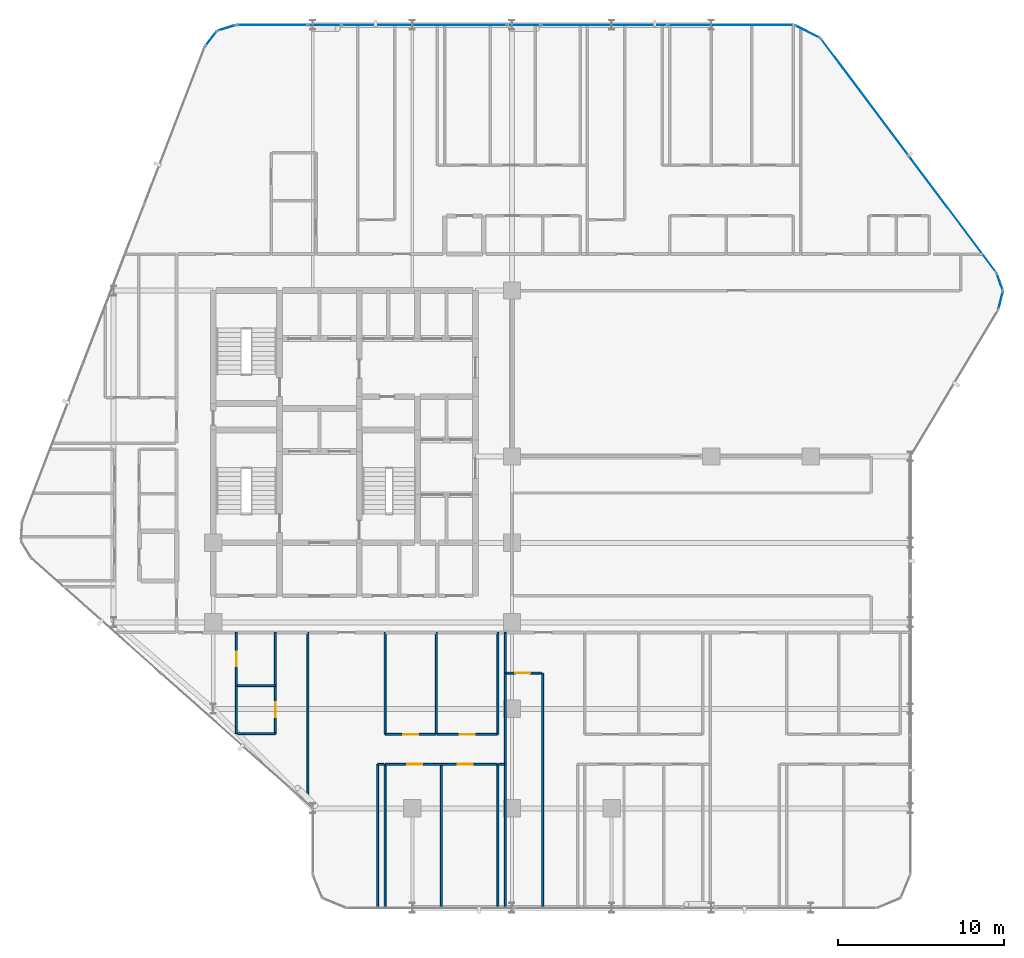
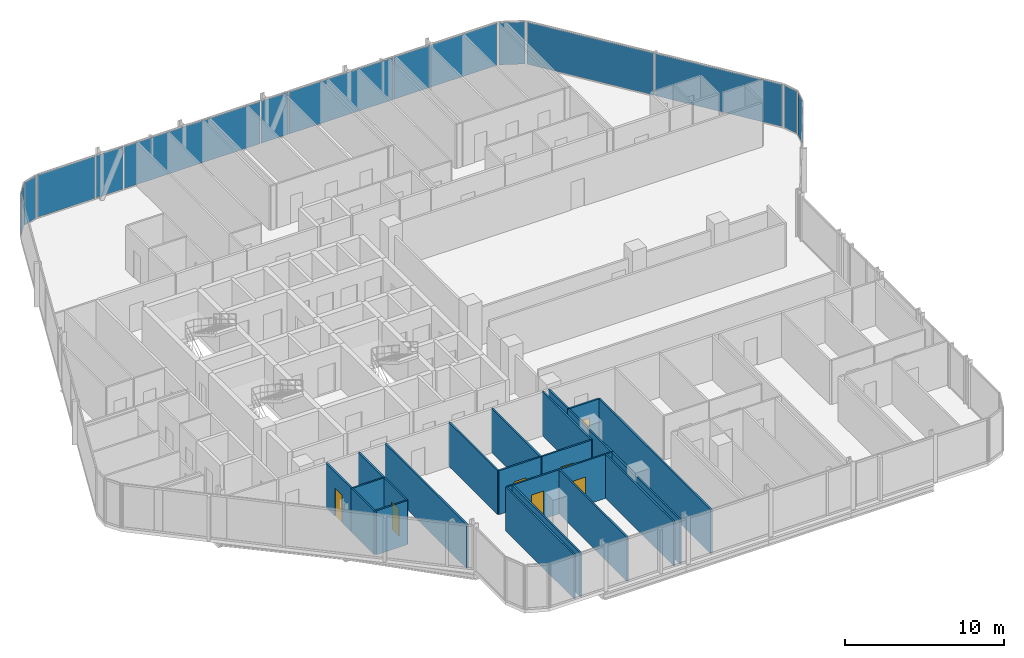
# One storey, part 22 of 29: 24 walls, 13 plates, 7 doors, 7 openings, 11 elements without a shape of their own.
"""IFC4 building model written with IfcOpenShell, lengths in metres."""

from ifc_helpers import new_model, si_unit, direction, frame, frame_2d, origin, origin_2d, place, context, subcontext, project, spatial, rectangle, extrude, material, layer, layer_set, type_object, element, fill, aggregate, save


model = new_model("IFC4")

# Units and contexts
model_context = context("Model", 3, precision=1e-05, world=origin(), true_north=direction((0.0, 1.0)))
body_context = subcontext(model_context, "Body", "Model", "MODEL_VIEW")
ifc_project = project(units=[si_unit("LENGTHUNIT", "METRE"), si_unit("AREAUNIT", "SQUARE_METRE"), si_unit("VOLUMEUNIT", "CUBIC_METRE"), si_unit("PLANEANGLEUNIT", "RADIAN"), si_unit("MASSUNIT", "GRAM", prefix="KILO")], contexts=[model_context])

# Site, building, storey
site_placement = place(None, origin())
site = spatial("IfcSite", under=ifc_project, at=site_placement, CompositionType="ELEMENT")
building_placement = place(site_placement, origin())
building = spatial("IfcBuilding", under=site, at=building_placement, Name="Keshet Zoharim Tower", CompositionType="ELEMENT")
storey_placement = place(building_placement, frame((0.0, 0.0, 102.0)))
storey = spatial("IfcBuildingStorey", under=building, at=storey_placement, Name="L24", CompositionType="ELEMENT", Elevation=102.0)

# Curtain wall, plate
ifc_material_1 = material(Name="Aluminium 6063-T6", Category="aluminium")
ifc_layer_1 = layer(ifc_material_1, 0.159912109375)
ifc_layer_set_1 = layer_set([ifc_layer_1], Name="Aluminium 6063-T6")
curtain_wall_type = type_object("IfcCurtainWallType", Name="CW-SYS-03", PredefinedType="NOTDEFINED", material=ifc_layer_set_1)
curtain_wall_1_placement = place(storey_placement, origin())
curtain_wall_1 = element("IfcCurtainWall", 1, at=curtain_wall_1_placement, inside=storey, type_object=curtain_wall_type, Name="L24 Unitised Curtain Wall 11", PredefinedType="NOTDEFINED")
ifc_material_2 = material(Name="Insulated Low-E Clear Glass", Category="glass")
ifc_layer_2 = layer(ifc_material_2, 0.035888671875)
ifc_layer_set_2 = layer_set([ifc_layer_2], Name="Insulated Low-E Clear Glass")
plate_type_1 = type_object("IfcPlateType", Name="CWP-01", PredefinedType="CURTAIN_PANEL", material=ifc_layer_set_2)
plate_1_placement = place(storey_placement, frame((14.8740234375, 53.08349609375, 0.06982421875), z_axis=(0.0, 0.0, 1.0), x_axis=(0.619124525989, 0.785292825205, 0.0)))
plate_1 = element("IfcPlate", 2, at=plate_1_placement, type_object=plate_type_1, Name="CW-03 panel 1.1", PredefinedType="CURTAIN_PANEL", context=body_context, shape_type="SweptSolid", body=[
    extrude(rectangle(XDim=1.045654296875, YDim=0.035888671875, at=origin_2d()), origin(), (0.0, 0.0, 1.0), 3.2451171875),
])
aggregate(curtain_wall_1, [plate_1])

curtain_wall_2_placement = place(storey_placement, origin())
curtain_wall_2 = element("IfcCurtainWall", 3, at=curtain_wall_2_placement, inside=storey, type_object=curtain_wall_type, Name="L24 Unitised Curtain Wall 12", PredefinedType="NOTDEFINED")
plate_2_placement = place(storey_placement, frame((15.8076171875, 53.724609375, 0.06982421875), z_axis=(0.0, 0.0, 1.0), x_axis=(0.955212151288, 0.295921857984, 0.0)))
plate_2 = element("IfcPlate", 4, at=plate_2_placement, type_object=plate_type_1, Name="CW-03 panel 1.1", PredefinedType="CURTAIN_PANEL", context=body_context, shape_type="SweptSolid", body=[
    extrude(rectangle(XDim=1.046142578125, YDim=0.035888671875, at=origin_2d()), origin(), (0.0, 0.0, 1.0), 3.2451171875),
])
aggregate(curtain_wall_2, [plate_2])

curtain_wall_3_placement = place(storey_placement, origin())
curtain_wall_3 = element("IfcCurtainWall", 5, at=curtain_wall_3_placement, inside=storey, type_object=curtain_wall_type, Name="L24 Unitised Curtain Wall 13", PredefinedType="NOTDEFINED")
ifc_layer_3 = layer(ifc_material_2, 0.031982421875)
ifc_layer_set_3 = layer_set([ifc_layer_3], Name="Insulated Low-E Clear Glass")
plate_type_2 = type_object("IfcPlateType", Name="CWP-02", PredefinedType="CURTAIN_PANEL", material=ifc_layer_set_3)
plate_3_placement = place(storey_placement, frame((18.5556640625, 53.89990234375, 0.06982421875), z_axis=(0.0, 0.0, 1.0), x_axis=(1.0, 0.0, 0.0)))
plate_3 = element("IfcPlate", 6, at=plate_3_placement, type_object=plate_type_2, Name="CW-03 panel 1.1", PredefinedType="CURTAIN_PANEL", context=body_context, shape_type="SweptSolid", body=[
    extrude(rectangle(XDim=4.223388671875, YDim=0.031982421875, at=origin_2d()), origin(), (0.0, 0.0, 1.0), 3.2451171875),
])
aggregate(curtain_wall_3, [plate_3])

curtain_wall_4_placement = place(storey_placement, origin())
curtain_wall_4 = element("IfcCurtainWall", 7, at=curtain_wall_4_placement, inside=storey, type_object=curtain_wall_type, Name="L24 Unitised Curtain Wall 13 Part 3", PredefinedType="NOTDEFINED")
plate_4_placement = place(storey_placement, frame((27.715087890625, 53.89990234375, 0.06982421875), z_axis=(0.0, 0.0, 1.0), x_axis=(1.0, 0.0, 0.0)))
plate_4 = element("IfcPlate", 8, at=plate_4_placement, type_object=plate_type_2, Name="CW-03 panel 1.1", PredefinedType="CURTAIN_PANEL", context=body_context, shape_type="SweptSolid", body=[
    extrude(rectangle(XDim=9.90478515625, YDim=0.031982421875, at=origin_2d()), origin(), (0.0, 0.0, 1.0), 3.2451171875),
])
aggregate(curtain_wall_4, [plate_4])

# Curtain wall, plates
curtain_wall_5_placement = place(storey_placement, origin())
curtain_wall_5 = element("IfcCurtainWall", 9, at=curtain_wall_5_placement, inside=storey, type_object=curtain_wall_type, Name="L24 Unitised Curtain Wall 13 Part 5", PredefinedType="NOTDEFINED")
plate_5_placement = place(storey_placement, frame((38.554443359375, 53.89990234375, 0.06982421875), z_axis=(0.0, 0.0, 1.0), x_axis=(1.0, 0.0, 0.0)))
plate_5 = element("IfcPlate", 10, at=plate_5_placement, type_object=plate_type_2, Name="CW-03 panel 1.1", PredefinedType="CURTAIN_PANEL", context=body_context, shape_type="SweptSolid", body=[
    extrude(rectangle(XDim=7.583740234375, YDim=0.031982421875, at=origin_2d()), origin(), (0.0, 0.0, 1.0), 3.2451171875),
])
plate_6_placement = place(storey_placement, frame((46.173095703125, 53.89990234375, 0.06982421875), z_axis=(0.0, 0.0, 1.0), x_axis=(1.0, 0.0, 0.0)))
plate_6 = element("IfcPlate", 11, at=plate_6_placement, type_object=plate_type_2, Name="CW-03 panel 2.1", PredefinedType="CURTAIN_PANEL", context=body_context, shape_type="SweptSolid", body=[
    extrude(rectangle(XDim=7.513671875, YDim=0.031982421875, at=origin_2d()), origin(), (0.0, 0.0, 1.0), 3.2451171875),
])
aggregate(curtain_wall_5, [plate_5, plate_6])

# Curtain wall, plate
curtain_wall_6_placement = place(storey_placement, origin())
curtain_wall_6 = element("IfcCurtainWall", 12, at=curtain_wall_6_placement, inside=storey, type_object=curtain_wall_type, Name="L24 Unitised Curtain Wall 14", PredefinedType="NOTDEFINED")
plate_7_placement = place(storey_placement, frame((50.800048828125, 53.5, 0.06982421875), z_axis=(0.0, 0.0, 1.0), x_axis=(0.894427191001, -0.447213595499, 0.0)))
plate_7 = element("IfcPlate", 13, at=plate_7_placement, type_object=plate_type_2, Name="CW-03 panel 1.1", PredefinedType="CURTAIN_PANEL", context=body_context, shape_type="SweptSolid", body=[
    extrude(rectangle(XDim=1.64892578125, YDim=0.031982421875, at=origin_2d()), origin(), (0.0, 0.0, 1.0), 3.2451171875),
])
aggregate(curtain_wall_6, [plate_7])

# Curtain wall, plates
curtain_wall_7_placement = place(storey_placement, origin())
curtain_wall_7 = element("IfcCurtainWall", 14, at=curtain_wall_7_placement, inside=storey, type_object=curtain_wall_type, Name="L24 Unitised Curtain Wall 15", PredefinedType="NOTDEFINED")
plate_8_placement = place(storey_placement, frame((54.2587890625, 49.554931640625, 0.06982421875), z_axis=(0.0, 0.0, 1.0), x_axis=(0.600000000002, -0.799999999998, 0.0)))
plate_8 = element("IfcPlate", 15, at=plate_8_placement, type_object=plate_type_2, Name="CW-03 panel 1.1", PredefinedType="CURTAIN_PANEL", context=body_context, shape_type="SweptSolid", body=[
    extrude(rectangle(XDim=8.722412109375, YDim=0.031982421875, at=origin_2d()), origin(), (0.0, 0.0, 1.0), 3.2451171875),
])
plate_9_placement = place(storey_placement, frame((59.5341796875, 42.52099609375, 0.06982421875), z_axis=(0.0, 0.0, 1.0), x_axis=(0.600000000002, -0.799999999998, 0.0)))
plate_9 = element("IfcPlate", 16, at=plate_9_placement, type_object=plate_type_2, Name="CW-03 panel 2.1", PredefinedType="CURTAIN_PANEL", context=body_context, shape_type="SweptSolid", body=[
    extrude(rectangle(XDim=8.722412109375, YDim=0.031982421875, at=origin_2d()), origin(), (0.0, 0.0, 1.0), 3.2451171875),
])
aggregate(curtain_wall_7, [plate_8, plate_9])

# Curtain wall, plate
curtain_wall_8_placement = place(storey_placement, origin())
curtain_wall_8 = element("IfcCurtainWall", 17, at=curtain_wall_8_placement, inside=storey, type_object=curtain_wall_type, Name="L24 Unitised Curtain Wall 16", PredefinedType="NOTDEFINED")
plate_10_placement = place(storey_placement, frame((62.3916015625, 38.427490234375, 0.06982421875), z_axis=(0.0, 0.0, 1.0), x_axis=(0.340297354046, -0.940317877544, 0.0)))
plate_10 = element("IfcPlate", 18, at=plate_10_placement, type_object=plate_type_2, Name="CW-03 panel 1.1", PredefinedType="CURTAIN_PANEL", context=body_context, shape_type="SweptSolid", body=[
    extrude(rectangle(XDim=1.026611328125, YDim=0.031982421875, at=origin_2d()), origin(), (0.0, 0.0, 1.0), 3.2451171875),
])
aggregate(curtain_wall_8, [plate_10])

curtain_wall_9_placement = place(storey_placement, origin())
curtain_wall_9 = element("IfcCurtainWall", 19, at=curtain_wall_9_placement, inside=storey, type_object=curtain_wall_type, Name="L24 Unitised Curtain Wall 17", PredefinedType="NOTDEFINED")
plate_11_placement = place(storey_placement, frame((62.448974609375, 37.31298828125, 0.06982421875), z_axis=(0.0, 0.0, 1.0), x_axis=(-0.241728770141, -0.970343857447, 0.0)))
plate_11 = element("IfcPlate", 20, at=plate_11_placement, type_object=plate_type_2, Name="CW-03 panel 1.1", PredefinedType="CURTAIN_PANEL", context=body_context, shape_type="SweptSolid", body=[
    extrude(rectangle(XDim=1.026611328125, YDim=0.031982421875, at=origin_2d()), origin(), (0.0, 0.0, 1.0), 3.2451171875),
])
aggregate(curtain_wall_9, [plate_11])

curtain_wall_10_placement = place(storey_placement, origin())
curtain_wall_10 = element("IfcCurtainWall", 21, at=curtain_wall_10_placement, inside=storey, type_object=curtain_wall_type, Name="L24 Unitised Curtain Wall 13 Part 2", PredefinedType="NOTDEFINED")
ifc_material_3 = material(Name="Insulated Aluminium Spandrel Panel", Category="aluminium")
ifc_layer_4 = layer(ifc_material_3, 0.031982421875)
ifc_layer_set_4 = layer_set([ifc_layer_4], Name="Insulated Aluminium Spandrel Panel")
plate_type_3 = type_object("IfcPlateType", Name="CWP-05", PredefinedType="CURTAIN_PANEL", material=ifc_layer_set_4)
plate_12_placement = place(storey_placement, frame((21.715087890625, 53.89990234375, 0.06982421875), z_axis=(0.0, 0.0, 1.0), x_axis=(1.0, 0.0, 0.0)))
plate_12 = element("IfcPlate", 22, at=plate_12_placement, type_object=plate_type_3, Name="CW-03 spandrel panel 1.1", PredefinedType="CURTAIN_PANEL", context=body_context, shape_type="SweptSolid", body=[
    extrude(rectangle(XDim=1.955078125, YDim=0.031982421875, at=origin_2d()), origin(), (0.0, 0.0, 1.0), 3.2451171875),
])
aggregate(curtain_wall_10, [plate_12])

curtain_wall_11_placement = place(storey_placement, origin())
curtain_wall_11 = element("IfcCurtainWall", 23, at=curtain_wall_11_placement, inside=storey, type_object=curtain_wall_type, Name="L24 Unitised Curtain Wall 13 Part 4", PredefinedType="NOTDEFINED")
plate_13_placement = place(storey_placement, frame((33.715087890625, 53.89990234375, 0.06982421875), z_axis=(0.0, 0.0, 1.0), x_axis=(1.0, 0.0, 0.0)))
plate_13 = element("IfcPlate", 24, at=plate_13_placement, type_object=plate_type_3, Name="CW-03 spandrel panel 1.1", PredefinedType="CURTAIN_PANEL", context=body_context, shape_type="SweptSolid", body=[
    extrude(rectangle(XDim=1.955078125, YDim=0.031982421875, at=origin_2d()), origin(), (0.0, 0.0, 1.0), 3.2451171875),
])
aggregate(curtain_wall_11, [plate_13])

# Wall, opening, door
ifc_material_4 = material(Name="Gypsum Plasterboard", Category="gypsum")
ifc_layer_5 = layer(ifc_material_4, 0.1201171875)
ifc_layer_set_5 = layer_set([ifc_layer_5], Name="Gypsum Plasterboard")
wall_type_1 = type_object("IfcWallType", Name="WL-PART-120", PredefinedType="PARTITIONING", material=ifc_layer_set_5)
wall_1_placement = place(storey_placement, frame((16.39990234375, 14.10009765625, 0.0), z_axis=(0.0, 0.0, 1.0), x_axis=(0.0, 1.0, 0.0)))
wall_1 = element("IfcWall", 25, at=wall_1_placement, inside=storey, type_object=wall_type_1, Name="L24 Interior Wall 018", PredefinedType="PARTITIONING", context=body_context, shape_type="SweptSolid", body=[
    extrude(rectangle(XDim=3.199951171875, YDim=0.1201171875, at=frame_2d((1.60009765625, 0.0))), origin(), (0.0, 0.0, 1.0), 3.385009765625),
])
opening_1_placement = place(wall_1_placement, frame((1.14990234375, 0.0, 0.0)))
opening_1 = element("IfcOpeningElement", 26, at=opening_1_placement, cuts=wall_1, Name="Opening D-IN90", PredefinedType="OPENING", context=body_context, shape_type="SweptSolid", body=[
    extrude(rectangle(XDim=0.89990234375, YDim=2.14990234375, at=frame_2d((0.449951171875, 1.074951171875))), frame((0.0, 0.070068359375, 0.0), z_axis=(0.0, -1.0, 0.0), x_axis=(1.0, 0.0, 0.0)), (0.0, 0.0, 1.0), 0.14013671875),
])
ifc_material_5 = material(Name="Hardwood Timber", Category="wood")
door_type_1 = type_object("IfcDoorType", Name="DR-INT-090", OperationType="NOTDEFINED", PredefinedType="DOOR", material=ifc_material_5)
door_1_placement = place(opening_1_placement, origin())
door_1 = element("IfcDoor", 27, at=door_1_placement, inside=storey, type_object=door_type_1, Name="Apartment 2401 Kitchenette Door", OperationType="SINGLE_SWING_RIGHT", OverallHeight=2.14990234375, OverallWidth=0.89990234375, PredefinedType="DOOR", context=body_context, shape_type="SweptSolid", body=[
    extrude(rectangle(XDim=0.89990234375, YDim=2.14990234375, at=frame_2d((0.449951171875, 1.074951171875))), frame((0.0, 0.02490234375, 0.0), z_axis=(0.0, -1.0, 0.0), x_axis=(1.0, 0.0, 0.0)), (0.0, 0.0, 1.0), 0.050048828125),
])
fill(opening_1, door_1)

# Walls
wall_2_placement = place(storey_placement, frame((18.75, 14.10009765625, 0.0), z_axis=(0.0, 0.0, 1.0), x_axis=(0.0, 1.0, 0.0)))
element("IfcWall", 28, at=wall_2_placement, inside=storey, type_object=wall_type_1, Name="L24 Interior Wall 022", PredefinedType="PARTITIONING", context=body_context, shape_type="SweptSolid", body=[
    extrude(rectangle(XDim=3.199951171875, YDim=0.1201171875, at=frame_2d((1.60009765625, 0.0))), origin(), (0.0, 0.0, 1.0), 3.385009765625),
])
wall_3_placement = place(storey_placement, frame((20.699951171875, 6.97705078125, 0.0), z_axis=(0.0, 0.0, 1.0), x_axis=(0.0, 1.0, 0.0)))
element("IfcWall", 29, at=wall_3_placement, inside=storey, type_object=wall_type_1, Name="L24 Interior Wall 028", PredefinedType="PARTITIONING", context=body_context, shape_type="SweptSolid", body=[
    extrude(rectangle(XDim=10.322998046875, YDim=0.1201171875, at=frame_2d((5.16162109375, 0.0))), origin(), (0.0, 0.0, 1.0), 3.385009765625),
])
for number, where, z_axis, x_axis, name in (
    (30, (24.89990234375, 0.7099609375, 0.0), (0.0, 0.0, 1.0), (0.0, 1.0, 0.0), "L24 Interior Wall 042"),
    (31, (25.35009765625, 0.7099609375, 0.0), (0.0, 0.0, 1.0), (0.0, 1.0, 0.0), "L24 Interior Wall 043"),
):
    element("IfcWall", number, at=place(storey_placement, frame(where, z_axis=z_axis, x_axis=x_axis)), inside=storey, type_object=wall_type_1, Name=name, PredefinedType="PARTITIONING", context=body_context, shape_type="SweptSolid", body=[
        extrude(rectangle(XDim=8.64013671875, YDim=0.1201171875, at=frame_2d((4.320068359375, 0.0))), origin(), (0.0, 0.0, 1.0), 3.385009765625),
    ])
wall_4_placement = place(storey_placement, frame((25.35009765625, 11.14990234375, 0.0), z_axis=(0.0, 0.0, 1.0), x_axis=(0.0, 1.0, 0.0)))
element("IfcWall", 32, at=wall_4_placement, inside=storey, type_object=wall_type_1, Name="L24 Interior Wall 044", PredefinedType="PARTITIONING", context=body_context, shape_type="SweptSolid", body=[
    extrude(rectangle(XDim=6.150146484375, YDim=0.1201171875, at=frame_2d((3.0751953125, 0.0))), origin(), (0.0, 0.0, 1.0), 3.385009765625),
])
for number, where, z_axis, x_axis, name in (
    (33, (28.75, 0.7099609375, 0.0), (0.0, 0.0, 1.0), (0.0, 1.0, 0.0), "L24 Interior Wall 056"),
    (34, (32.14990234375, 0.7099609375, 0.0), (0.0, 0.0, 1.0), (0.0, 1.0, 0.0), "L24 Interior Wall 070"),
    (35, (32.60009765625, 0.7099609375, 0.0), (0.0, 0.0, 1.0), (0.0, 1.0, 0.0), "L24 Interior Wall 072"),
):
    element("IfcWall", number, at=place(storey_placement, frame(where, z_axis=z_axis, x_axis=x_axis)), inside=storey, type_object=wall_type_1, Name=name, PredefinedType="PARTITIONING", context=body_context, shape_type="SweptSolid", body=[
        extrude(rectangle(XDim=8.64013671875, YDim=0.1201171875, at=frame_2d((4.320068359375, 0.0))), origin(), (0.0, 0.0, 1.0), 3.385009765625),
    ])
wall_5_placement = place(storey_placement, frame((32.60009765625, 9.35009765625, 0.0), z_axis=(0.0, 0.0, 1.0), x_axis=(0.0, 1.0, 0.0)))
element("IfcWall", 36, at=wall_5_placement, inside=storey, type_object=wall_type_1, Name="L24 Interior Wall 073", PredefinedType="PARTITIONING", context=body_context, shape_type="SweptSolid", body=[
    extrude(rectangle(XDim=5.5, YDim=0.1201171875, at=frame_2d((2.75, 0.0))), origin(), (0.0, 0.0, 1.0), 3.385009765625),
])
wall_6_placement = place(storey_placement, frame((32.60009765625, 14.85009765625, 0.0), z_axis=(0.0, 0.0, 1.0), x_axis=(0.0, 1.0, 0.0)))
element("IfcWall", 37, at=wall_6_placement, inside=storey, type_object=wall_type_1, Name="L24 Interior Wall 074", PredefinedType="PARTITIONING", context=body_context, shape_type="SweptSolid", body=[
    extrude(rectangle(XDim=2.449951171875, YDim=0.1201171875, at=frame_2d((1.22509765625, 0.0))), origin(), (0.0, 0.0, 1.0), 3.385009765625),
])
wall_7_placement = place(storey_placement, frame((34.85009765625, 0.7099609375, 0.0), z_axis=(0.0, 0.0, 1.0), x_axis=(0.0, 1.0, 0.0)))
element("IfcWall", 38, at=wall_7_placement, inside=storey, type_object=wall_type_1, Name="L24 Interior Wall 078", PredefinedType="PARTITIONING", context=body_context, shape_type="SweptSolid", body=[
    extrude(rectangle(XDim=14.14013671875, YDim=0.1201171875, at=frame_2d((7.070068359375, 0.0))), origin(), (0.0, 0.0, 1.0), 3.385009765625),
])
wall_8_placement = place(storey_placement, frame((24.925048828125, 9.35009765625, 0.0), z_axis=(0.0, 0.0, 1.0), x_axis=(1.0, 0.0, 0.0)))
element("IfcWall", 39, at=wall_8_placement, inside=storey, type_object=wall_type_1, Name="L24 Interior Wall 117", PredefinedType="PARTITIONING", context=body_context, shape_type="SweptSolid", body=[
    extrude(rectangle(XDim=0.35986328125, YDim=0.1201171875, at=frame_2d((0.179931640625, 0.0))), origin(), (0.0, 0.0, 1.0), 3.385009765625),
])

# Wall, openings, doors
wall_9_placement = place(storey_placement, frame((25.375, 9.35009765625, 0.0), z_axis=(0.0, 0.0, 1.0), x_axis=(1.0, 0.0, 0.0)))
wall_9 = element("IfcWall", 40, at=wall_9_placement, inside=storey, type_object=wall_type_1, Name="L24 Interior Wall 118", PredefinedType="PARTITIONING", context=body_context, shape_type="SweptSolid", body=[
    extrude(rectangle(XDim=6.72998046875, YDim=0.1201171875, at=frame_2d((3.364990234375, 0.0))), origin(), (0.0, 0.0, 1.0), 3.385009765625),
])
opening_2_placement = place(wall_9_placement, frame((1.31005859375, 0.0, 0.0)))
opening_2 = element("IfcOpeningElement", 41, at=opening_2_placement, cuts=wall_9, Name="Opening D-IN90", PredefinedType="OPENING", context=body_context, shape_type="SweptSolid", body=[
    extrude(rectangle(XDim=0.89990234375, YDim=2.14990234375, at=frame_2d((0.449951171875, 1.074951171875))), frame((0.0, 0.070068359375, 0.0), z_axis=(0.0, -1.0, 0.0), x_axis=(1.0, 0.0, 0.0)), (0.0, 0.0, 1.0), 0.14013671875),
])
opening_3_placement = place(wall_9_placement, frame((4.3701171875, 0.0, 0.0)))
opening_3 = element("IfcOpeningElement", 42, at=opening_3_placement, cuts=wall_9, Name="Opening D-IN90", PredefinedType="OPENING", context=body_context, shape_type="SweptSolid", body=[
    extrude(rectangle(XDim=0.89990234375, YDim=2.14990234375, at=frame_2d((0.449951171875, 1.074951171875))), frame((0.0, 0.070068359375, 0.0), z_axis=(0.0, -1.0, 0.0), x_axis=(1.0, 0.0, 0.0)), (0.0, 0.0, 1.0), 0.14013671875),
])
door_2_placement = place(opening_2_placement, origin())
door_2 = element("IfcDoor", 43, at=door_2_placement, inside=storey, type_object=door_type_1, Name="Apartment 2402 Bedroom 1 Door", OperationType="SINGLE_SWING_RIGHT", OverallHeight=2.14990234375, OverallWidth=0.89990234375, PredefinedType="DOOR", context=body_context, shape_type="SweptSolid", body=[
    extrude(rectangle(XDim=0.89990234375, YDim=2.14990234375, at=frame_2d((0.449951171875, 1.074951171875))), frame((0.0, 0.02490234375, 0.0), z_axis=(0.0, -1.0, 0.0), x_axis=(1.0, 0.0, 0.0)), (0.0, 0.0, 1.0), 0.050048828125),
])
fill(opening_2, door_2)
door_3_placement = place(opening_3_placement, origin())
door_3 = element("IfcDoor", 44, at=door_3_placement, inside=storey, type_object=door_type_1, Name="Apartment 2402 Bedroom 2 Door", OperationType="SINGLE_SWING_LEFT", OverallHeight=2.14990234375, OverallWidth=0.89990234375, PredefinedType="DOOR", context=body_context, shape_type="SweptSolid", body=[
    extrude(rectangle(XDim=0.89990234375, YDim=2.14990234375, at=frame_2d((0.449951171875, 1.074951171875))), frame((0.0, 0.02490234375, 0.0), z_axis=(0.0, -1.0, 0.0), x_axis=(1.0, 0.0, 0.0)), (0.0, 0.0, 1.0), 0.050048828125),
])
fill(opening_3, door_3)

# Wall
wall_10_placement = place(storey_placement, frame((32.195068359375, 9.35009765625, 0.0), z_axis=(0.0, 0.0, 1.0), x_axis=(1.0, 0.0, 0.0)))
element("IfcWall", 45, at=wall_10_placement, inside=storey, type_object=wall_type_1, Name="L24 Interior Wall 119", PredefinedType="PARTITIONING", context=body_context, shape_type="SweptSolid", body=[
    extrude(rectangle(XDim=0.35986328125, YDim=0.1201171875, at=frame_2d((0.179931640625, 0.0))), origin(), (0.0, 0.0, 1.0), 3.385009765625),
])

# Wall, opening, door
wall_11_placement = place(storey_placement, frame((25.375, 11.14990234375, 0.0), z_axis=(0.0, 0.0, 1.0), x_axis=(1.0, 0.0, 0.0)))
wall_11 = element("IfcWall", 46, at=wall_11_placement, inside=storey, type_object=wall_type_1, Name="L24 Interior Wall 125", PredefinedType="PARTITIONING", context=body_context, shape_type="SweptSolid", body=[
    extrude(rectangle(XDim=3.047119140625, YDim=0.1201171875, at=frame_2d((1.5234375, 0.0))), origin(), (0.0, 0.0, 1.0), 3.385009765625),
])
opening_4_placement = place(wall_11_placement, frame((1.072998046875, 0.0, 0.0)))
opening_4 = element("IfcOpeningElement", 47, at=opening_4_placement, cuts=wall_11, Name="Opening D-IN90", PredefinedType="OPENING", context=body_context, shape_type="SweptSolid", body=[
    extrude(rectangle(XDim=0.89990234375, YDim=2.14990234375, at=frame_2d((0.449951171875, 1.074951171875))), frame((0.0, 0.070068359375, 0.0), z_axis=(0.0, -1.0, 0.0), x_axis=(1.0, 0.0, 0.0)), (0.0, 0.0, 1.0), 0.14013671875),
])
door_4_placement = place(opening_4_placement, origin())
door_4 = element("IfcDoor", 48, at=door_4_placement, inside=storey, type_object=door_type_1, Name="Apartment 2402 Kitchen Door", OperationType="SINGLE_SWING_LEFT", OverallHeight=2.14990234375, OverallWidth=0.89990234375, PredefinedType="DOOR", context=body_context, shape_type="SweptSolid", body=[
    extrude(rectangle(XDim=0.89990234375, YDim=2.14990234375, at=frame_2d((0.449951171875, 1.074951171875))), frame((0.0, 0.02490234375, 0.0), z_axis=(0.0, -1.0, 0.0), x_axis=(1.0, 0.0, 0.0)), (0.0, 0.0, 1.0), 0.050048828125),
])
fill(opening_4, door_4)

wall_12_placement = place(storey_placement, frame((32.64501953125, 14.85009765625, 0.0), z_axis=(0.0, 0.0, 1.0), x_axis=(1.0, 0.0, 0.0)))
wall_12 = element("IfcWall", 49, at=wall_12_placement, inside=storey, type_object=wall_type_1, Name="L24 Interior Wall 133", PredefinedType="PARTITIONING", context=body_context, shape_type="SweptSolid", body=[
    extrude(rectangle(XDim=2.159912109375, YDim=0.1201171875, at=frame_2d((1.080078125, 0.0))), origin(), (0.0, 0.0, 1.0), 3.385009765625),
])
opening_5_placement = place(wall_12_placement, frame((0.552978515625, 0.0, 0.0)))
opening_5 = element("IfcOpeningElement", 50, at=opening_5_placement, cuts=wall_12, Name="Opening D-IN90", PredefinedType="OPENING", context=body_context, shape_type="SweptSolid", body=[
    extrude(rectangle(XDim=0.89990234375, YDim=2.14990234375, at=frame_2d((0.449951171875, 1.074951171875))), frame((0.0, 0.070068359375, 0.0), z_axis=(0.0, -1.0, 0.0), x_axis=(1.0, 0.0, 0.0)), (0.0, 0.0, 1.0), 0.14013671875),
])
door_5_placement = place(opening_5_placement, origin())
door_5 = element("IfcDoor", 51, at=door_5_placement, inside=storey, type_object=door_type_1, Name="Apartment 2403 Formal Dining Room Door", OperationType="SINGLE_SWING_LEFT", OverallHeight=2.14990234375, OverallWidth=0.89990234375, PredefinedType="DOOR", context=body_context, shape_type="SweptSolid", body=[
    extrude(rectangle(XDim=0.89990234375, YDim=2.14990234375, at=frame_2d((0.449951171875, 1.074951171875))), frame((0.0, 0.02490234375, 0.0), z_axis=(0.0, -1.0, 0.0), x_axis=(1.0, 0.0, 0.0)), (0.0, 0.0, 1.0), 0.050048828125),
])
fill(opening_5, door_5)

# Wall
ifc_layer_6 = layer(ifc_material_4, 0.1201171875)
ifc_layer_set_6 = layer_set([ifc_layer_6], Name="Gypsum Plasterboard")
wall_type_2 = type_object("IfcWallType", Name="WL-WET-120", PredefinedType="PARTITIONING", material=ifc_layer_set_6)
wall_13_placement = place(storey_placement, frame((16.39990234375, 11.199951171875, 0.0), z_axis=(0.0, 0.0, 1.0), x_axis=(0.0, 1.0, 0.0)))
element("IfcWall", 52, at=wall_13_placement, inside=storey, type_object=wall_type_2, Name="L24 Interior Wall 017", PredefinedType="PARTITIONING", context=body_context, shape_type="SweptSolid", body=[
    extrude(rectangle(XDim=2.900146484375, YDim=0.1201171875, at=frame_2d((1.4501953125, 0.0))), origin(), (0.0, 0.0, 1.0), 3.385009765625),
])

# Wall, opening, door
wall_14_placement = place(storey_placement, frame((18.75, 11.199951171875, 0.0), z_axis=(0.0, 0.0, 1.0), x_axis=(0.0, 1.0, 0.0)))
wall_14 = element("IfcWall", 53, at=wall_14_placement, inside=storey, type_object=wall_type_2, Name="L24 Interior Wall 021", PredefinedType="PARTITIONING", context=body_context, shape_type="SweptSolid", body=[
    extrude(rectangle(XDim=2.900146484375, YDim=0.1201171875, at=frame_2d((1.4501953125, 0.0))), origin(), (0.0, 0.0, 1.0), 3.385009765625),
])
opening_6_placement = place(wall_14_placement, frame((1.0, 0.0, 0.0)))
opening_6 = element("IfcOpeningElement", 54, at=opening_6_placement, cuts=wall_14, Name="Opening D-WT90", PredefinedType="OPENING", context=body_context, shape_type="SweptSolid", body=[
    extrude(rectangle(XDim=0.89990234375, YDim=2.10009765625, at=frame_2d((0.449951171875, 1.050048828125))), frame((0.0, 0.070068359375, 0.0), z_axis=(0.0, -1.0, 0.0), x_axis=(1.0, 0.0, 0.0)), (0.0, 0.0, 1.0), 0.14013671875),
])
door_type_2 = type_object("IfcDoorType", Name="DR-WET-090", OperationType="NOTDEFINED", PredefinedType="DOOR", material=ifc_material_5)
door_6_placement = place(opening_6_placement, origin())
door_6 = element("IfcDoor", 55, at=door_6_placement, inside=storey, type_object=door_type_2, Name="Apartment 2401 Bathroom Door", OperationType="SINGLE_SWING_RIGHT", OverallHeight=2.10009765625, OverallWidth=0.89990234375, PredefinedType="DOOR", context=body_context, shape_type="SweptSolid", body=[
    extrude(rectangle(XDim=0.89990234375, YDim=2.10009765625, at=frame_2d((0.449951171875, 1.050048828125))), frame((0.0, 0.02490234375, 0.0), z_axis=(0.0, -1.0, 0.0), x_axis=(1.0, 0.0, 0.0)), (0.0, 0.0, 1.0), 0.050048828125),
])
fill(opening_6, door_6)

# Walls
for number, where, z_axis, x_axis, name in (
    (56, (28.449951171875, 11.14990234375, 0.0), (0.0, 0.0, 1.0), (0.0, 1.0, 0.0), "L24 Interior Wall 053"),
    (57, (32.14990234375, 11.14990234375, 0.0), (0.0, 0.0, 1.0), (0.0, 1.0, 0.0), "L24 Interior Wall 071"),
):
    element("IfcWall", number, at=place(storey_placement, frame(where, z_axis=z_axis, x_axis=x_axis)), inside=storey, type_object=wall_type_2, Name=name, PredefinedType="PARTITIONING", context=body_context, shape_type="SweptSolid", body=[
        extrude(rectangle(XDim=6.150146484375, YDim=0.1201171875, at=frame_2d((3.0751953125, 0.0))), origin(), (0.0, 0.0, 1.0), 3.385009765625),
    ])

# Wall, opening, door
wall_15_placement = place(storey_placement, frame((28.511962890625, 11.14990234375, 0.0), z_axis=(0.0, 0.0, 1.0), x_axis=(1.0, 0.0, 0.0)))
wall_15 = element("IfcWall", 58, at=wall_15_placement, inside=storey, type_object=wall_type_2, Name="L24 Interior Wall 126", PredefinedType="PARTITIONING", context=body_context, shape_type="SweptSolid", body=[
    extrude(rectangle(XDim=3.593017578125, YDim=0.1201171875, at=frame_2d((1.79638671875, 0.0))), origin(), (0.0, 0.0, 1.0), 3.385009765625),
])
opening_7_placement = place(wall_15_placement, frame((1.345947265625, 0.0, 0.0)))
opening_7 = element("IfcOpeningElement", 59, at=opening_7_placement, cuts=wall_15, Name="Opening D-WT90", PredefinedType="OPENING", context=body_context, shape_type="SweptSolid", body=[
    extrude(rectangle(XDim=0.89990234375, YDim=2.10009765625, at=frame_2d((0.449951171875, 1.050048828125))), frame((0.0, 0.070068359375, 0.0), z_axis=(0.0, -1.0, 0.0), x_axis=(1.0, 0.0, 0.0)), (0.0, 0.0, 1.0), 0.14013671875),
])
door_7_placement = place(opening_7_placement, origin())
door_7 = element("IfcDoor", 60, at=door_7_placement, inside=storey, type_object=door_type_2, Name="Apartment 2402 Bathroom Door", OperationType="SINGLE_SWING_RIGHT", OverallHeight=2.10009765625, OverallWidth=0.89990234375, PredefinedType="DOOR", context=body_context, shape_type="SweptSolid", body=[
    extrude(rectangle(XDim=0.89990234375, YDim=2.10009765625, at=frame_2d((0.449951171875, 1.050048828125))), frame((0.0, 0.02490234375, 0.0), z_axis=(0.0, -1.0, 0.0), x_axis=(1.0, 0.0, 0.0)), (0.0, 0.0, 1.0), 0.050048828125),
])
fill(opening_7, door_7)

# Walls
for number, where, z_axis, x_axis, name in (
    (61, (16.465087890625, 11.199951171875, 0.0), (0.0, 0.0, 1.0), (1.0, 0.0, 0.0), "L24 Interior Wall 131"),
    (62, (16.465087890625, 14.10009765625, 0.0), (0.0, 0.0, 1.0), (1.0, 0.0, 0.0), "L24 Interior Wall 132"),
):
    element("IfcWall", number, at=place(storey_placement, frame(where, z_axis=z_axis, x_axis=x_axis)), inside=storey, type_object=wall_type_2, Name=name, PredefinedType="PARTITIONING", context=body_context, shape_type="SweptSolid", body=[
        extrude(rectangle(XDim=2.260009765625, YDim=0.1201171875, at=frame_2d((1.1298828125, 0.0))), origin(), (0.0, 0.0, 1.0), 3.385009765625),
    ])

save(model, "model.ifc")
